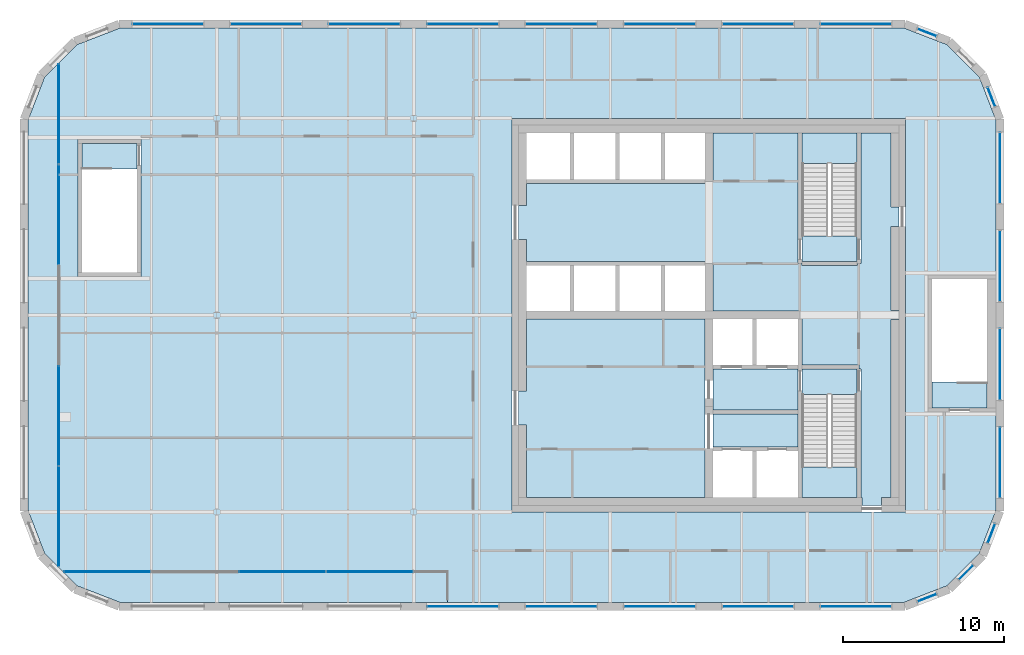
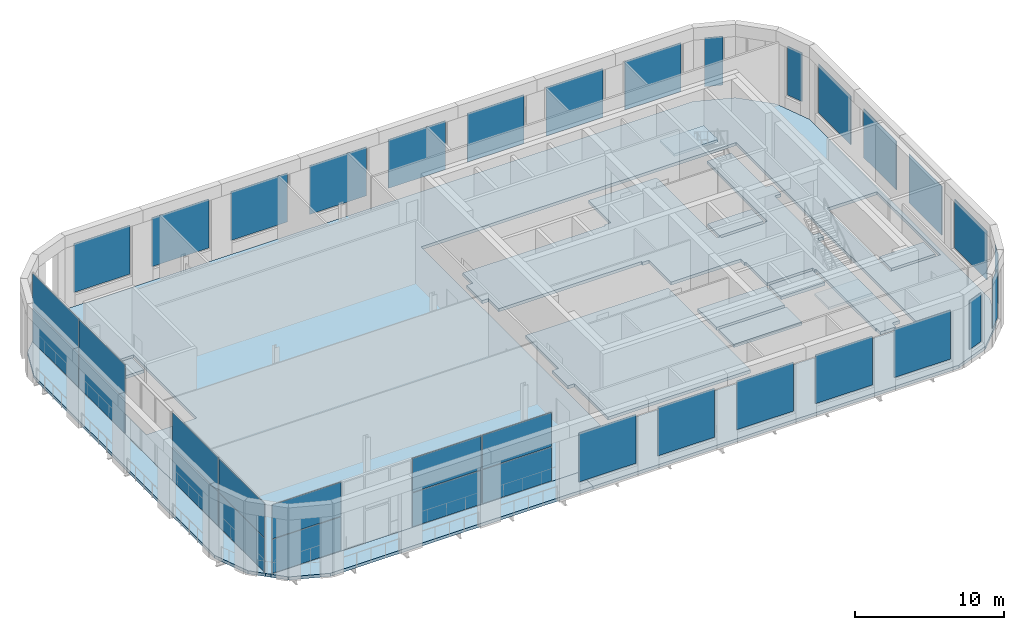
# One storey, part 10 of 19: 36 plates, 13 slabs, 31 elements without a shape of their own.
"""IFC4 building model written with IfcOpenShell, lengths in metres."""

from ifc_helpers import new_model, si_unit, direction, frame, origin, origin_2d, place, context, subcontext, project, spatial, polyline, rectangle, outline, extrude, material, layer, layer_set, type_object, element, aggregate, save


model = new_model("IFC4")

# Units and contexts
model_context = context("Model", 3, precision=1e-05, world=origin(), true_north=direction((0.0, 1.0)))
body_context = subcontext(model_context, "Body", "Model", "MODEL_VIEW")
ifc_project = project(units=[si_unit("LENGTHUNIT", "METRE"), si_unit("AREAUNIT", "SQUARE_METRE"), si_unit("VOLUMEUNIT", "CUBIC_METRE"), si_unit("PLANEANGLEUNIT", "RADIAN"), si_unit("MASSUNIT", "GRAM", prefix="KILO")], contexts=[model_context])

# Site, building, storey
site_placement = place(None, origin())
site = spatial("IfcSite", under=ifc_project, at=site_placement, CompositionType="ELEMENT")
building_placement = place(site_placement, origin())
building = spatial("IfcBuilding", under=site, at=building_placement, Name="Tessera Gate Towers", CompositionType="ELEMENT")
storey_placement = place(building_placement, frame((0.0, 0.0, 259.699951171875)))
storey = spatial("IfcBuildingStorey", under=building, at=storey_placement, Name="L65", CompositionType="ELEMENT", Elevation=259.699951171875)

# Slabs
ifc_material_1 = material(Name="Concrete C35/45", Category="concrete")
ifc_layer_1 = layer(ifc_material_1, 0.25)
ifc_layer_set_1 = layer_set([ifc_layer_1], Name="COMPOSITE FLOOR 250")
slab_type_1 = type_object("IfcSlabType", Name="COMPOSITE FLOOR 250", PredefinedType="FLOOR", material=ifc_layer_set_1)
slab_1_placement = place(storey_placement, frame((0.0, 0.0, -0.25)))
element("IfcSlab", 1, at=slab_1_placement, inside=storey, type_object=slab_type_1, Name="T1-L65", PredefinedType="FLOOR", context=body_context, shape_type="SweptSolid", body=[
    extrude(outline(polyline([(2.39990234375, 20.959228515625), (2.6591796875, 20.699951171875), (26.5, 20.699951171875), (26.5, 18.800048828125), (54.806884765625, 18.800048828125), (57.466796875, 19.826171875), (59.473876953125, 21.8330078125), (60.5, 24.4931640625), (60.5, 48.706787109375), (59.473876953125, 51.366943359375), (57.466796875, 53.373779296875), (54.806884765625, 54.39990234375), (6.193115234375, 54.39990234375), (3.533203125, 53.373779296875), (2.39990234375, 52.24072265625), (2.39990234375, 20.959228515625)]), holes=[polyline([(3.60009765625, 39.0), (3.60009765625, 47.5), (7.5, 47.5), (7.5, 39.0), (3.60009765625, 39.0)]), polyline([(30.5, 24.39990234375), (30.5, 48.800048828125), (54.89990234375, 48.800048828125), (54.89990234375, 24.39990234375), (30.5, 24.39990234375)]), polyline([(56.300048828125, 30.60009765625), (56.300048828125, 39.10009765625), (60.199951171875, 39.10009765625), (60.199951171875, 30.60009765625), (56.300048828125, 30.60009765625)])]), origin(), (0.0, 0.0, 1.0), 0.25),
])
slab_2_placement = place(storey_placement, frame((0.0, 0.0, -0.25)))
element("IfcSlab", 2, at=slab_2_placement, inside=storey, type_object=slab_type_1, Name="T1-DECK", PredefinedType="FLOOR", context=body_context, shape_type="SweptSolid", body=[
    extrude(outline(polyline([(0.5, 24.4931640625), (1.526123046875, 21.8330078125), (2.39990234375, 20.959228515625), (2.39990234375, 52.24072265625), (1.526123046875, 51.366943359375), (0.5, 48.706787109375), (0.5, 24.4931640625)])), origin(), (0.0, 0.0, 1.0), 0.25),
])
slab_3_placement = place(storey_placement, frame((0.0, 0.0, -0.25)))
element("IfcSlab", 3, at=slab_3_placement, inside=storey, type_object=slab_type_1, Name="T1-DECK-1", PredefinedType="FLOOR", context=body_context, shape_type="SweptSolid", body=[
    extrude(outline(polyline([(2.6591796875, 20.699951171875), (3.533203125, 19.826171875), (6.193115234375, 18.800048828125), (26.5, 18.800048828125), (26.5, 20.699951171875), (2.6591796875, 20.699951171875)])), origin(), (0.0, 0.0, 1.0), 0.25),
])
ifc_material_2 = material(Name="Concrete C35/45", Category="concrete")
ifc_layer_2 = layer(ifc_material_2, 0.25)
ifc_layer_set_2 = layer_set([ifc_layer_2], Name="CORE FLOOR SLAB 250")
slab_type_2 = type_object("IfcSlabType", Name="CORE FLOOR SLAB 250", PredefinedType="FLOOR", material=ifc_layer_set_2)
slab_4_placement = place(storey_placement, frame((0.0, 0.0, -0.25)))
element("IfcSlab", 4, at=slab_4_placement, inside=storey, type_object=slab_type_2, Name="L65 core floor slab", PredefinedType="FLOOR", context=body_context, shape_type="SweptSolid", body=[
    extrude(outline(polyline([(42.449951171875, 44.89990234375), (42.449951171875, 44.77490234375), (31.39990234375, 44.77490234375), (31.39990234375, 43.39990234375), (30.89990234375, 43.39990234375), (30.89990234375, 41.300048828125), (31.39990234375, 41.300048828125), (31.39990234375, 39.925048828125), (42.449951171875, 39.925048828125), (42.449951171875, 39.800048828125), (42.949951171875, 39.800048828125), (42.949951171875, 36.85009765625), (48.35009765625, 36.85009765625), (48.35009765625, 36.35009765625), (48.47509765625, 36.35009765625), (48.47509765625, 33.52490234375), (52.0, 33.52490234375), (52.0, 33.27490234375), (52.125, 33.27490234375), (52.125, 25.300048828125), (52.199951171875, 25.300048828125), (52.199951171875, 24.800048828125), (53.39990234375, 24.800048828125), (53.39990234375, 25.300048828125), (54.0, 25.300048828125), (54.0, 36.320068359375), (54.5, 36.320068359375), (54.5, 36.8798828125), (54.0, 36.8798828125), (54.0, 42.10009765625), (54.5, 42.10009765625), (54.5, 43.300048828125), (54.0, 43.300048828125), (54.0, 47.89990234375), (52.125, 47.89990234375), (52.125, 39.800048828125), (51.875, 39.800048828125), (51.875, 39.675048828125), (48.47509765625, 39.675048828125), (48.47509765625, 39.800048828125), (48.22509765625, 39.800048828125), (48.22509765625, 47.89990234375), (42.949951171875, 47.89990234375), (42.949951171875, 44.89990234375), (42.449951171875, 44.89990234375)])), origin(), (0.0, 0.0, 1.0), 0.25),
])
slab_5_placement = place(storey_placement, frame((0.0, 0.0, -0.25)))
element("IfcSlab", 5, at=slab_5_placement, inside=storey, type_object=slab_type_2, Name="L65 core floor slab", PredefinedType="FLOOR", context=body_context, shape_type="SweptSolid", body=[
    extrude(outline(polyline([(31.39990234375, 36.35009765625), (31.39990234375, 31.89990234375), (30.89990234375, 31.89990234375), (30.89990234375, 29.800048828125), (31.39990234375, 29.800048828125), (31.39990234375, 25.300048828125), (42.449951171875, 25.300048828125), (42.449951171875, 36.35009765625), (31.39990234375, 36.35009765625)])), origin(), (0.0, 0.0, 1.0), 0.25),
])
slab_6_placement = place(storey_placement, frame((0.0, 0.0, -0.25)))
element("IfcSlab", 6, at=slab_6_placement, inside=storey, type_object=slab_type_2, Name="L65 core floor slab", PredefinedType="FLOOR", context=body_context, shape_type="SweptSolid", body=[
    extrude(outline(polyline([(42.949951171875, 33.27490234375), (42.949951171875, 30.72509765625), (48.22509765625, 30.72509765625), (48.22509765625, 33.27490234375), (42.949951171875, 33.27490234375)])), origin(), (0.0, 0.0, 1.0), 0.25),
])
slab_7_placement = place(storey_placement, frame((0.0, 0.0, -0.25)))
element("IfcSlab", 7, at=slab_7_placement, inside=storey, type_object=slab_type_2, Name="L65 core floor slab", PredefinedType="FLOOR", context=body_context, shape_type="SweptSolid", body=[
    extrude(outline(polyline([(48.22509765625, 30.47509765625), (42.949951171875, 30.47509765625), (42.949951171875, 28.425048828125), (48.22509765625, 28.425048828125), (48.22509765625, 30.47509765625)])), origin(), (0.0, 0.0, 1.0), 0.25),
])
slab_8_placement = place(storey_placement, frame((0.0, 0.0, -0.25)))
element("IfcSlab", 8, at=slab_8_placement, inside=storey, type_object=slab_type_2, Name="L65 core floor slab", PredefinedType="FLOOR", context=body_context, shape_type="SweptSolid", body=[
    extrude(outline(polyline([(51.875, 31.675048828125), (51.875, 33.27490234375), (48.47509765625, 33.27490234375), (48.47509765625, 31.675048828125), (51.875, 31.675048828125)])), origin(), (0.0, 0.0, 1.0), 0.25),
])
slab_9_placement = place(storey_placement, frame((0.0, 0.0, -0.25)))
element("IfcSlab", 9, at=slab_9_placement, inside=storey, type_object=slab_type_2, Name="L65 core floor slab", PredefinedType="FLOOR", context=body_context, shape_type="SweptSolid", body=[
    extrude(outline(polyline([(48.47509765625, 41.52490234375), (48.47509765625, 39.925048828125), (51.875, 39.925048828125), (51.875, 41.52490234375), (48.47509765625, 41.52490234375)])), origin(), (0.0, 0.0, 1.0), 0.25),
])
slab_10_placement = place(storey_placement, frame((0.0, 0.0, -0.25)))
element("IfcSlab", 10, at=slab_10_placement, inside=storey, type_object=slab_type_2, Name="L65 ST3 floor landing", PredefinedType="FLOOR", context=body_context, shape_type="SweptSolid", body=[
    extrude(outline(polyline([(3.85009765625, 47.25), (3.85009765625, 45.64990234375), (7.25, 45.64990234375), (7.25, 47.25), (3.85009765625, 47.25)])), origin(), (0.0, 0.0, 1.0), 0.25),
])
slab_11_placement = place(storey_placement, frame((0.0, 0.0, -0.25)))
element("IfcSlab", 11, at=slab_11_placement, inside=storey, type_object=slab_type_2, Name="L65 ST5 floor landing", PredefinedType="FLOOR", context=body_context, shape_type="SweptSolid", body=[
    extrude(outline(polyline([(59.949951171875, 30.85009765625), (59.949951171875, 32.449951171875), (56.550048828125, 32.449951171875), (56.550048828125, 30.85009765625), (59.949951171875, 30.85009765625)])), origin(), (0.0, 0.0, 1.0), 0.25),
])

# Stair, slab
ifc_material_3 = material(Name="Concrete C40/50", Category="concrete")
stair_type_1 = type_object("IfcStairType", Name="EXIT STAIR ST1C 1600", PredefinedType="HALF_TURN_STAIR", material=ifc_material_3)
stair_1_placement = place(storey_placement, origin())
stair_1 = element("IfcStair", 12, at=stair_1_placement, inside=storey, type_object=stair_type_1, Name="L65 Protected Exit Stair ST1", PredefinedType="HALF_TURN_STAIR")
ifc_material_4 = material(Name="Concrete C40/50", Category="concrete")
ifc_layer_3 = layer(ifc_material_4, 0.199951171875)
ifc_layer_set_3 = layer_set([ifc_layer_3], Name="EXIT STAIR LANDING 200")
slab_type_3 = type_object("IfcSlabType", Name="EXIT STAIR LANDING 200", PredefinedType="LANDING", material=ifc_layer_set_3)
slab_12_placement = place(storey_placement, frame((0.0, 0.0, 2.800048828125)))
slab_12 = element("IfcSlab", 13, at=slab_12_placement, type_object=slab_type_3, Name="ST1 landing 1", PredefinedType="LANDING", context=body_context, shape_type="SweptSolid", body=[
    extrude(outline(polyline([(48.47509765625, 27.195068359375), (48.47509765625, 25.300048828125), (51.875, 25.300048828125), (51.875, 27.195068359375), (48.47509765625, 27.195068359375)])), origin(), (0.0, 0.0, 1.0), 0.199951171875),
])
aggregate(stair_1, [slab_12])

ifc_material_5 = material(Name="Concrete C40/50", Category="concrete")
stair_type_2 = type_object("IfcStairType", Name="EXIT STAIR ST2C 1600", PredefinedType="HALF_TURN_STAIR", material=ifc_material_5)
stair_2_placement = place(storey_placement, origin())
stair_2 = element("IfcStair", 14, at=stair_2_placement, inside=storey, type_object=stair_type_2, Name="L65 Protected Exit Stair ST2", PredefinedType="HALF_TURN_STAIR")
slab_13_placement = place(storey_placement, frame((0.0, 0.0, 2.800048828125)))
slab_13 = element("IfcSlab", 15, at=slab_13_placement, type_object=slab_type_3, Name="ST2 landing 1", PredefinedType="LANDING", context=body_context, shape_type="SweptSolid", body=[
    extrude(outline(polyline([(51.875, 46.0048828125), (51.875, 47.89990234375), (48.47509765625, 47.89990234375), (48.47509765625, 46.0048828125), (51.875, 46.0048828125)])), origin(), (0.0, 0.0, 1.0), 0.199951171875),
])
aggregate(stair_2, [slab_13])

# Curtain wall, plate
ifc_material_6 = material(Name="Aluminium frame", Category="aluminium")
curtain_wall_type = type_object("IfcCurtainWallType", Name="CW-S4 observation glass", PredefinedType="NOTDEFINED", material=ifc_material_6)
curtain_wall_1_placement = place(storey_placement, origin())
curtain_wall_1 = element("IfcCurtainWall", 16, at=curtain_wall_1_placement, inside=storey, type_object=curtain_wall_type, Name="Curtain wall observation glass 0089", PredefinedType="NOTDEFINED")
ifc_material_7 = material(Name="Low-e laminated glass", Category="glass")
ifc_layer_4 = layer(ifc_material_7, 0.0400390625)
ifc_layer_set_4 = layer_set([ifc_layer_4], Name="PN-S4 glass panel 40")
plate_type = type_object("IfcPlateType", Name="PN-S4 glass panel 40", PredefinedType="CURTAIN_PANEL", material=ifc_layer_set_4)
plate_1_placement = place(storey_placement, frame((27.449951171875, 18.550048828125, 0.949951171875), z_axis=(0.0, 0.0, 1.0), x_axis=(1.0, 0.0, 0.0)))
plate_1 = element("IfcPlate", 17, at=plate_1_placement, type_object=plate_type, Name="T1-CW4-0089 panel 1.1", PredefinedType="CURTAIN_PANEL", context=body_context, shape_type="SweptSolid", body=[
    extrude(rectangle(XDim=4.39990234375, YDim=0.0400390625, at=origin_2d()), origin(), (0.0, 0.0, 1.0), 4.0),
])
aggregate(curtain_wall_1, [plate_1])

curtain_wall_2_placement = place(storey_placement, origin())
curtain_wall_2 = element("IfcCurtainWall", 18, at=curtain_wall_2_placement, inside=storey, type_object=curtain_wall_type, Name="Curtain wall observation glass 0090", PredefinedType="NOTDEFINED")
plate_2_placement = place(storey_placement, frame((33.550048828125, 18.550048828125, 0.949951171875), z_axis=(0.0, 0.0, 1.0), x_axis=(1.0, 0.0, 0.0)))
plate_2 = element("IfcPlate", 19, at=plate_2_placement, type_object=plate_type, Name="T1-CW4-0090 panel 1.1", PredefinedType="CURTAIN_PANEL", context=body_context, shape_type="SweptSolid", body=[
    extrude(rectangle(XDim=4.39990234375, YDim=0.0400390625, at=origin_2d()), origin(), (0.0, 0.0, 1.0), 4.0),
])
aggregate(curtain_wall_2, [plate_2])

curtain_wall_3_placement = place(storey_placement, origin())
curtain_wall_3 = element("IfcCurtainWall", 20, at=curtain_wall_3_placement, inside=storey, type_object=curtain_wall_type, Name="Curtain wall observation glass 0091", PredefinedType="NOTDEFINED")
plate_3_placement = place(storey_placement, frame((39.64990234375, 18.550048828125, 0.949951171875), z_axis=(0.0, 0.0, 1.0), x_axis=(1.0, 0.0, 0.0)))
plate_3 = element("IfcPlate", 21, at=plate_3_placement, type_object=plate_type, Name="T1-CW4-0091 panel 1.1", PredefinedType="CURTAIN_PANEL", context=body_context, shape_type="SweptSolid", body=[
    extrude(rectangle(XDim=4.39990234375, YDim=0.0400390625, at=origin_2d()), origin(), (0.0, 0.0, 1.0), 4.0),
])
aggregate(curtain_wall_3, [plate_3])

curtain_wall_4_placement = place(storey_placement, origin())
curtain_wall_4 = element("IfcCurtainWall", 22, at=curtain_wall_4_placement, inside=storey, type_object=curtain_wall_type, Name="Curtain wall observation glass 0092", PredefinedType="NOTDEFINED")
plate_4_placement = place(storey_placement, frame((45.75, 18.550048828125, 0.949951171875), z_axis=(0.0, 0.0, 1.0), x_axis=(1.0, 0.0, 0.0)))
plate_4 = element("IfcPlate", 23, at=plate_4_placement, type_object=plate_type, Name="T1-CW4-0092 panel 1.1", PredefinedType="CURTAIN_PANEL", context=body_context, shape_type="SweptSolid", body=[
    extrude(rectangle(XDim=4.39990234375, YDim=0.0400390625, at=origin_2d()), origin(), (0.0, 0.0, 1.0), 4.0),
])
aggregate(curtain_wall_4, [plate_4])

curtain_wall_5_placement = place(storey_placement, origin())
curtain_wall_5 = element("IfcCurtainWall", 24, at=curtain_wall_5_placement, inside=storey, type_object=curtain_wall_type, Name="Curtain wall observation glass 0093", PredefinedType="NOTDEFINED")
plate_5_placement = place(storey_placement, frame((51.82666015625, 18.550048828125, 0.949951171875), z_axis=(0.0, 0.0, 1.0), x_axis=(1.0, 0.0, 0.0)))
plate_5 = element("IfcPlate", 25, at=plate_5_placement, type_object=plate_type, Name="T1-CW4-0093 panel 1.1", PredefinedType="CURTAIN_PANEL", context=body_context, shape_type="SweptSolid", body=[
    extrude(rectangle(XDim=4.353515625, YDim=0.0400390625, at=origin_2d()), origin(), (0.0, 0.0, 1.0), 4.0),
])
aggregate(curtain_wall_5, [plate_5])

curtain_wall_6_placement = place(storey_placement, origin())
curtain_wall_6 = element("IfcCurtainWall", 26, at=curtain_wall_6_placement, inside=storey, type_object=curtain_wall_type, Name="Curtain wall observation glass 0094", PredefinedType="NOTDEFINED")
plate_6_placement = place(storey_placement, frame((56.22998046875, 19.0810546875, 0.949951171875), z_axis=(0.0, 0.0, 1.0), x_axis=(0.932989314041, 0.359904070394, 0.0)))
plate_6 = element("IfcPlate", 27, at=plate_6_placement, type_object=plate_type, Name="T1-CW4-0094 panel 1.1", PredefinedType="CURTAIN_PANEL", context=body_context, shape_type="SweptSolid", body=[
    extrude(rectangle(XDim=1.25048828125, YDim=0.0400390625, at=origin_2d()), origin(), (0.0, 0.0, 1.0), 4.0),
])
aggregate(curtain_wall_6, [plate_6])

curtain_wall_7_placement = place(storey_placement, origin())
curtain_wall_7 = element("IfcCurtainWall", 28, at=curtain_wall_7_placement, inside=storey, type_object=curtain_wall_type, Name="Curtain wall observation glass 0095", PredefinedType="NOTDEFINED")
plate_7_placement = place(storey_placement, frame((58.647216796875, 20.65283203125, 0.949951171875), z_axis=(0.0, 0.0, 1.0), x_axis=(0.707106781187, 0.707106781187, 0.0)))
plate_7 = element("IfcPlate", 29, at=plate_7_placement, type_object=plate_type, Name="T1-CW4-0095 panel 1.1", PredefinedType="CURTAIN_PANEL", context=body_context, shape_type="SweptSolid", body=[
    extrude(rectangle(XDim=1.244140625, YDim=0.0400390625, at=origin_2d()), origin(), (0.0, 0.0, 1.0), 4.0),
])
aggregate(curtain_wall_7, [plate_7])

curtain_wall_8_placement = place(storey_placement, origin())
curtain_wall_8 = element("IfcCurtainWall", 30, at=curtain_wall_8_placement, inside=storey, type_object=curtain_wall_type, Name="Curtain wall observation glass 0096", PredefinedType="NOTDEFINED")
plate_8_placement = place(storey_placement, frame((60.218994140625, 23.070068359375, 0.949951171875), z_axis=(0.0, 0.0, 1.0), x_axis=(0.359904070394, 0.932989314041, 0.0)))
plate_8 = element("IfcPlate", 31, at=plate_8_placement, type_object=plate_type, Name="T1-CW4-0096 panel 1.1", PredefinedType="CURTAIN_PANEL", context=body_context, shape_type="SweptSolid", body=[
    extrude(rectangle(XDim=1.25048828125, YDim=0.0400390625, at=origin_2d()), origin(), (0.0, 0.0, 1.0), 4.0),
])
aggregate(curtain_wall_8, [plate_8])

curtain_wall_9_placement = place(storey_placement, origin())
curtain_wall_9 = element("IfcCurtainWall", 32, at=curtain_wall_9_placement, inside=storey, type_object=curtain_wall_type, Name="Curtain wall observation glass 0097", PredefinedType="NOTDEFINED")
plate_9_placement = place(storey_placement, frame((60.75, 27.473388671875, 0.949951171875), z_axis=(0.0, 0.0, 1.0), x_axis=(0.0, 1.0, 0.0)))
plate_9 = element("IfcPlate", 33, at=plate_9_placement, type_object=plate_type, Name="T1-CW4-0097 panel 1.1", PredefinedType="CURTAIN_PANEL", context=body_context, shape_type="SweptSolid", body=[
    extrude(rectangle(XDim=4.353515625, YDim=0.0400390625, at=origin_2d()), origin(), (0.0, 0.0, 1.0), 4.0),
])
aggregate(curtain_wall_9, [plate_9])

curtain_wall_10_placement = place(storey_placement, origin())
curtain_wall_10 = element("IfcCurtainWall", 34, at=curtain_wall_10_placement, inside=storey, type_object=curtain_wall_type, Name="Curtain wall observation glass 0098", PredefinedType="NOTDEFINED")
plate_10_placement = place(storey_placement, frame((60.75, 33.550048828125, 0.949951171875), z_axis=(0.0, 0.0, 1.0), x_axis=(0.0, 1.0, 0.0)))
plate_10 = element("IfcPlate", 35, at=plate_10_placement, type_object=plate_type, Name="T1-CW4-0098 panel 1.1", PredefinedType="CURTAIN_PANEL", context=body_context, shape_type="SweptSolid", body=[
    extrude(rectangle(XDim=4.39990234375, YDim=0.0400390625, at=origin_2d()), origin(), (0.0, 0.0, 1.0), 4.0),
])
aggregate(curtain_wall_10, [plate_10])

curtain_wall_11_placement = place(storey_placement, origin())
curtain_wall_11 = element("IfcCurtainWall", 36, at=curtain_wall_11_placement, inside=storey, type_object=curtain_wall_type, Name="Curtain wall observation glass 0099", PredefinedType="NOTDEFINED")
plate_11_placement = place(storey_placement, frame((60.75, 39.64990234375, 0.949951171875), z_axis=(0.0, 0.0, 1.0), x_axis=(0.0, 1.0, 0.0)))
plate_11 = element("IfcPlate", 37, at=plate_11_placement, type_object=plate_type, Name="T1-CW4-0099 panel 1.1", PredefinedType="CURTAIN_PANEL", context=body_context, shape_type="SweptSolid", body=[
    extrude(rectangle(XDim=4.39990234375, YDim=0.0400390625, at=origin_2d()), origin(), (0.0, 0.0, 1.0), 4.0),
])
aggregate(curtain_wall_11, [plate_11])

curtain_wall_12_placement = place(storey_placement, origin())
curtain_wall_12 = element("IfcCurtainWall", 38, at=curtain_wall_12_placement, inside=storey, type_object=curtain_wall_type, Name="Curtain wall observation glass 0100", PredefinedType="NOTDEFINED")
plate_12_placement = place(storey_placement, frame((60.75, 45.726806640625, 0.949951171875), z_axis=(0.0, 0.0, 1.0), x_axis=(0.0, 1.0, 0.0)))
plate_12 = element("IfcPlate", 39, at=plate_12_placement, type_object=plate_type, Name="T1-CW4-0100 panel 1.1", PredefinedType="CURTAIN_PANEL", context=body_context, shape_type="SweptSolid", body=[
    extrude(rectangle(XDim=4.353515625, YDim=0.0400390625, at=origin_2d()), origin(), (0.0, 0.0, 1.0), 4.0),
])
aggregate(curtain_wall_12, [plate_12])

curtain_wall_13_placement = place(storey_placement, origin())
curtain_wall_13 = element("IfcCurtainWall", 40, at=curtain_wall_13_placement, inside=storey, type_object=curtain_wall_type, Name="Curtain wall observation glass 0101", PredefinedType="NOTDEFINED")
plate_13_placement = place(storey_placement, frame((60.218994140625, 50.1298828125, 0.949951171875), z_axis=(0.0, 0.0, 1.0), x_axis=(-0.359904070394, 0.932989314041, 0.0)))
plate_13 = element("IfcPlate", 41, at=plate_13_placement, type_object=plate_type, Name="T1-CW4-0101 panel 1.1", PredefinedType="CURTAIN_PANEL", context=body_context, shape_type="SweptSolid", body=[
    extrude(rectangle(XDim=1.25048828125, YDim=0.0400390625, at=origin_2d()), origin(), (0.0, 0.0, 1.0), 4.0),
])
aggregate(curtain_wall_13, [plate_13])

curtain_wall_14_placement = place(storey_placement, origin())
curtain_wall_14 = element("IfcCurtainWall", 42, at=curtain_wall_14_placement, inside=storey, type_object=curtain_wall_type, Name="Curtain wall observation glass 0103", PredefinedType="NOTDEFINED")
plate_14_placement = place(storey_placement, frame((56.22998046875, 54.119140625, 0.949951171875), z_axis=(0.0, 0.0, 1.0), x_axis=(-0.932989314041, 0.359904070394, 0.0)))
plate_14 = element("IfcPlate", 43, at=plate_14_placement, type_object=plate_type, Name="T1-CW4-0103 panel 1.1", PredefinedType="CURTAIN_PANEL", context=body_context, shape_type="SweptSolid", body=[
    extrude(rectangle(XDim=1.25048828125, YDim=0.0400390625, at=origin_2d()), origin(), (0.0, 0.0, 1.0), 4.0),
])
aggregate(curtain_wall_14, [plate_14])

curtain_wall_15_placement = place(storey_placement, origin())
curtain_wall_15 = element("IfcCurtainWall", 44, at=curtain_wall_15_placement, inside=storey, type_object=curtain_wall_type, Name="Curtain wall observation glass 0104", PredefinedType="NOTDEFINED")
plate_15_placement = place(storey_placement, frame((51.82666015625, 54.64990234375, 0.949951171875), z_axis=(0.0, 0.0, 1.0), x_axis=(-1.0, 0.0, 0.0)))
plate_15 = element("IfcPlate", 45, at=plate_15_placement, type_object=plate_type, Name="T1-CW4-0104 panel 1.1", PredefinedType="CURTAIN_PANEL", context=body_context, shape_type="SweptSolid", body=[
    extrude(rectangle(XDim=4.353515625, YDim=0.0400390625, at=origin_2d()), origin(), (0.0, 0.0, 1.0), 4.0),
])
aggregate(curtain_wall_15, [plate_15])

curtain_wall_16_placement = place(storey_placement, origin())
curtain_wall_16 = element("IfcCurtainWall", 46, at=curtain_wall_16_placement, inside=storey, type_object=curtain_wall_type, Name="Curtain wall observation glass 0105", PredefinedType="NOTDEFINED")
plate_16_placement = place(storey_placement, frame((45.75, 54.64990234375, 0.949951171875), z_axis=(0.0, 0.0, 1.0), x_axis=(-1.0, 0.0, 0.0)))
plate_16 = element("IfcPlate", 47, at=plate_16_placement, type_object=plate_type, Name="T1-CW4-0105 panel 1.1", PredefinedType="CURTAIN_PANEL", context=body_context, shape_type="SweptSolid", body=[
    extrude(rectangle(XDim=4.39990234375, YDim=0.0400390625, at=origin_2d()), origin(), (0.0, 0.0, 1.0), 4.0),
])
aggregate(curtain_wall_16, [plate_16])

curtain_wall_17_placement = place(storey_placement, origin())
curtain_wall_17 = element("IfcCurtainWall", 48, at=curtain_wall_17_placement, inside=storey, type_object=curtain_wall_type, Name="Curtain wall observation glass 0106", PredefinedType="NOTDEFINED")
plate_17_placement = place(storey_placement, frame((39.64990234375, 54.64990234375, 0.949951171875), z_axis=(0.0, 0.0, 1.0), x_axis=(-1.0, 0.0, 0.0)))
plate_17 = element("IfcPlate", 49, at=plate_17_placement, type_object=plate_type, Name="T1-CW4-0106 panel 1.1", PredefinedType="CURTAIN_PANEL", context=body_context, shape_type="SweptSolid", body=[
    extrude(rectangle(XDim=4.39990234375, YDim=0.0400390625, at=origin_2d()), origin(), (0.0, 0.0, 1.0), 4.0),
])
aggregate(curtain_wall_17, [plate_17])

curtain_wall_18_placement = place(storey_placement, origin())
curtain_wall_18 = element("IfcCurtainWall", 50, at=curtain_wall_18_placement, inside=storey, type_object=curtain_wall_type, Name="Curtain wall observation glass 0107", PredefinedType="NOTDEFINED")
plate_18_placement = place(storey_placement, frame((33.550048828125, 54.64990234375, 0.949951171875), z_axis=(0.0, 0.0, 1.0), x_axis=(-1.0, 0.0, 0.0)))
plate_18 = element("IfcPlate", 51, at=plate_18_placement, type_object=plate_type, Name="T1-CW4-0107 panel 1.1", PredefinedType="CURTAIN_PANEL", context=body_context, shape_type="SweptSolid", body=[
    extrude(rectangle(XDim=4.39990234375, YDim=0.0400390625, at=origin_2d()), origin(), (0.0, 0.0, 1.0), 4.0),
])
aggregate(curtain_wall_18, [plate_18])

curtain_wall_19_placement = place(storey_placement, origin())
curtain_wall_19 = element("IfcCurtainWall", 52, at=curtain_wall_19_placement, inside=storey, type_object=curtain_wall_type, Name="Curtain wall observation glass 0108", PredefinedType="NOTDEFINED")
plate_19_placement = place(storey_placement, frame((27.449951171875, 54.64990234375, 0.949951171875), z_axis=(0.0, 0.0, 1.0), x_axis=(-1.0, 0.0, 0.0)))
plate_19 = element("IfcPlate", 53, at=plate_19_placement, type_object=plate_type, Name="T1-CW4-0108 panel 1.1", PredefinedType="CURTAIN_PANEL", context=body_context, shape_type="SweptSolid", body=[
    extrude(rectangle(XDim=4.39990234375, YDim=0.0400390625, at=origin_2d()), origin(), (0.0, 0.0, 1.0), 4.0),
])
aggregate(curtain_wall_19, [plate_19])

curtain_wall_20_placement = place(storey_placement, origin())
curtain_wall_20 = element("IfcCurtainWall", 54, at=curtain_wall_20_placement, inside=storey, type_object=curtain_wall_type, Name="Curtain wall observation glass 0109", PredefinedType="NOTDEFINED")
plate_20_placement = place(storey_placement, frame((21.35009765625, 54.64990234375, 0.949951171875), z_axis=(0.0, 0.0, 1.0), x_axis=(-1.0, 0.0, 0.0)))
plate_20 = element("IfcPlate", 55, at=plate_20_placement, type_object=plate_type, Name="T1-CW4-0109 panel 1.1", PredefinedType="CURTAIN_PANEL", context=body_context, shape_type="SweptSolid", body=[
    extrude(rectangle(XDim=4.39990234375, YDim=0.0400390625, at=origin_2d()), origin(), (0.0, 0.0, 1.0), 4.0),
])
aggregate(curtain_wall_20, [plate_20])

curtain_wall_21_placement = place(storey_placement, origin())
curtain_wall_21 = element("IfcCurtainWall", 56, at=curtain_wall_21_placement, inside=storey, type_object=curtain_wall_type, Name="Curtain wall observation glass 0110", PredefinedType="NOTDEFINED")
plate_21_placement = place(storey_placement, frame((15.25, 54.64990234375, 0.949951171875), z_axis=(0.0, 0.0, 1.0), x_axis=(-1.0, 0.0, 0.0)))
plate_21 = element("IfcPlate", 57, at=plate_21_placement, type_object=plate_type, Name="T1-CW4-0110 panel 1.1", PredefinedType="CURTAIN_PANEL", context=body_context, shape_type="SweptSolid", body=[
    extrude(rectangle(XDim=4.39990234375, YDim=0.0400390625, at=origin_2d()), origin(), (0.0, 0.0, 1.0), 4.0),
])
aggregate(curtain_wall_21, [plate_21])

curtain_wall_22_placement = place(storey_placement, origin())
curtain_wall_22 = element("IfcCurtainWall", 58, at=curtain_wall_22_placement, inside=storey, type_object=curtain_wall_type, Name="Curtain wall observation glass 0111", PredefinedType="NOTDEFINED")
plate_22_placement = place(storey_placement, frame((9.17333984375, 54.64990234375, 0.949951171875), z_axis=(0.0, 0.0, 1.0), x_axis=(-1.0, 0.0, 0.0)))
plate_22 = element("IfcPlate", 59, at=plate_22_placement, type_object=plate_type, Name="T1-CW4-0111 panel 1.1", PredefinedType="CURTAIN_PANEL", context=body_context, shape_type="SweptSolid", body=[
    extrude(rectangle(XDim=4.353515625, YDim=0.0400390625, at=origin_2d()), origin(), (0.0, 0.0, 1.0), 4.0),
])
aggregate(curtain_wall_22, [plate_22])

# Curtain wall, plates
curtain_wall_23_placement = place(storey_placement, origin())
curtain_wall_23 = element("IfcCurtainWall", 60, at=curtain_wall_23_placement, inside=storey, type_object=curtain_wall_type, Name="Curtain wall observation glass 0112", PredefinedType="NOTDEFINED")
plate_23_placement = place(storey_placement, frame((2.39990234375, 24.1201171875, 0.050048828125), z_axis=(0.0, 0.0, 1.0), x_axis=(0.0, 1.0, 0.0)))
plate_23 = element("IfcPlate", 61, at=plate_23_placement, type_object=plate_type, Name="T1-CW4-0112 panel 1.1", PredefinedType="CURTAIN_PANEL", context=body_context, shape_type="SweptSolid", body=[
    extrude(rectangle(XDim=6.139892578125, YDim=0.0400390625, at=origin_2d()), origin(), (0.0, 0.0, 1.0), 2.77490234375),
])
plate_24_placement = place(storey_placement, frame((2.39990234375, 24.1201171875, 2.875), z_axis=(0.0, 0.0, 1.0), x_axis=(0.0, 1.0, 0.0)))
plate_24 = element("IfcPlate", 62, at=plate_24_placement, type_object=plate_type, Name="T1-CW4-0112 panel 1.2", PredefinedType="CURTAIN_PANEL", context=body_context, shape_type="SweptSolid", body=[
    extrude(rectangle(XDim=6.139892578125, YDim=0.0400390625, at=origin_2d()), origin(), (0.0, 0.0, 1.0), 2.77490234375),
])
aggregate(curtain_wall_23, [plate_23, plate_24])

curtain_wall_24_placement = place(storey_placement, origin())
curtain_wall_24 = element("IfcCurtainWall", 63, at=curtain_wall_24_placement, inside=storey, type_object=curtain_wall_type, Name="Curtain wall observation glass 0113", PredefinedType="NOTDEFINED")
plate_25_placement = place(storey_placement, frame((2.39990234375, 30.360107421875, 0.050048828125), z_axis=(0.0, 0.0, 1.0), x_axis=(0.0, 1.0, 0.0)))
plate_25 = element("IfcPlate", 64, at=plate_25_placement, type_object=plate_type, Name="T1-CW4-0113 panel 1.1", PredefinedType="CURTAIN_PANEL", context=body_context, shape_type="SweptSolid", body=[
    extrude(rectangle(XDim=6.139892578125, YDim=0.0400390625, at=origin_2d()), origin(), (0.0, 0.0, 1.0), 2.77490234375),
])
plate_26_placement = place(storey_placement, frame((2.39990234375, 30.360107421875, 2.875), z_axis=(0.0, 0.0, 1.0), x_axis=(0.0, 1.0, 0.0)))
plate_26 = element("IfcPlate", 65, at=plate_26_placement, type_object=plate_type, Name="T1-CW4-0113 panel 1.2", PredefinedType="CURTAIN_PANEL", context=body_context, shape_type="SweptSolid", body=[
    extrude(rectangle(XDim=6.139892578125, YDim=0.0400390625, at=origin_2d()), origin(), (0.0, 0.0, 1.0), 2.77490234375),
])
aggregate(curtain_wall_24, [plate_25, plate_26])

curtain_wall_25_placement = place(storey_placement, origin())
curtain_wall_25 = element("IfcCurtainWall", 66, at=curtain_wall_25_placement, inside=storey, type_object=curtain_wall_type, Name="Curtain wall observation glass 0114", PredefinedType="NOTDEFINED")
plate_27_placement = place(storey_placement, frame((2.39990234375, 42.840087890625, 0.050048828125), z_axis=(0.0, 0.0, 1.0), x_axis=(0.0, 1.0, 0.0)))
plate_27 = element("IfcPlate", 67, at=plate_27_placement, type_object=plate_type, Name="T1-CW4-0114 panel 1.1", PredefinedType="CURTAIN_PANEL", context=body_context, shape_type="SweptSolid", body=[
    extrude(rectangle(XDim=6.139892578125, YDim=0.0400390625, at=origin_2d()), origin(), (0.0, 0.0, 1.0), 2.77490234375),
])
plate_28_placement = place(storey_placement, frame((2.39990234375, 42.840087890625, 2.875), z_axis=(0.0, 0.0, 1.0), x_axis=(0.0, 1.0, 0.0)))
plate_28 = element("IfcPlate", 68, at=plate_28_placement, type_object=plate_type, Name="T1-CW4-0114 panel 1.2", PredefinedType="CURTAIN_PANEL", context=body_context, shape_type="SweptSolid", body=[
    extrude(rectangle(XDim=6.139892578125, YDim=0.0400390625, at=origin_2d()), origin(), (0.0, 0.0, 1.0), 2.77490234375),
])
aggregate(curtain_wall_25, [plate_27, plate_28])

curtain_wall_26_placement = place(storey_placement, origin())
curtain_wall_26 = element("IfcCurtainWall", 69, at=curtain_wall_26_placement, inside=storey, type_object=curtain_wall_type, Name="Curtain wall observation glass 0115", PredefinedType="NOTDEFINED")
plate_29_placement = place(storey_placement, frame((2.39990234375, 49.080078125, 0.050048828125), z_axis=(0.0, 0.0, 1.0), x_axis=(0.0, 1.0, 0.0)))
plate_29 = element("IfcPlate", 70, at=plate_29_placement, type_object=plate_type, Name="T1-CW4-0115 panel 1.1", PredefinedType="CURTAIN_PANEL", context=body_context, shape_type="SweptSolid", body=[
    extrude(rectangle(XDim=6.139892578125, YDim=0.0400390625, at=origin_2d()), origin(), (0.0, 0.0, 1.0), 2.77490234375),
])
plate_30_placement = place(storey_placement, frame((2.39990234375, 49.080078125, 2.875), z_axis=(0.0, 0.0, 1.0), x_axis=(0.0, 1.0, 0.0)))
plate_30 = element("IfcPlate", 71, at=plate_30_placement, type_object=plate_type, Name="T1-CW4-0115 panel 1.2", PredefinedType="CURTAIN_PANEL", context=body_context, shape_type="SweptSolid", body=[
    extrude(rectangle(XDim=6.139892578125, YDim=0.0400390625, at=origin_2d()), origin(), (0.0, 0.0, 1.0), 2.77490234375),
])
aggregate(curtain_wall_26, [plate_29, plate_30])

curtain_wall_27_placement = place(storey_placement, origin())
curtain_wall_27 = element("IfcCurtainWall", 72, at=curtain_wall_27_placement, inside=storey, type_object=curtain_wall_type, Name="Curtain wall observation glass 0116", PredefinedType="NOTDEFINED")
plate_31_placement = place(storey_placement, frame((5.41259765625, 20.699951171875, 0.050048828125), z_axis=(0.0, 0.0, 1.0), x_axis=(1.0, 0.0, 0.0)))
plate_31 = element("IfcPlate", 73, at=plate_31_placement, type_object=plate_type, Name="T1-CW4-0116 panel 1.1", PredefinedType="CURTAIN_PANEL", context=body_context, shape_type="SweptSolid", body=[
    extrude(rectangle(XDim=5.324951171875, YDim=0.0400390625, at=origin_2d()), origin(), (0.0, 0.0, 1.0), 2.77490234375),
])
plate_32_placement = place(storey_placement, frame((5.41259765625, 20.699951171875, 2.875), z_axis=(0.0, 0.0, 1.0), x_axis=(1.0, 0.0, 0.0)))
plate_32 = element("IfcPlate", 74, at=plate_32_placement, type_object=plate_type, Name="T1-CW4-0116 panel 1.2", PredefinedType="CURTAIN_PANEL", context=body_context, shape_type="SweptSolid", body=[
    extrude(rectangle(XDim=5.324951171875, YDim=0.0400390625, at=origin_2d()), origin(), (0.0, 0.0, 1.0), 2.77490234375),
])
aggregate(curtain_wall_27, [plate_31, plate_32])

curtain_wall_28_placement = place(storey_placement, origin())
curtain_wall_28 = element("IfcCurtainWall", 75, at=curtain_wall_28_placement, inside=storey, type_object=curtain_wall_type, Name="Curtain wall observation glass 0117", PredefinedType="NOTDEFINED")
plate_33_placement = place(storey_placement, frame((16.262451171875, 20.699951171875, 0.050048828125), z_axis=(0.0, 0.0, 1.0), x_axis=(1.0, 0.0, 0.0)))
plate_33 = element("IfcPlate", 76, at=plate_33_placement, type_object=plate_type, Name="T1-CW4-0117 panel 1.1", PredefinedType="CURTAIN_PANEL", context=body_context, shape_type="SweptSolid", body=[
    extrude(rectangle(XDim=5.324951171875, YDim=0.0400390625, at=origin_2d()), origin(), (0.0, 0.0, 1.0), 2.77490234375),
])
plate_34_placement = place(storey_placement, frame((16.262451171875, 20.699951171875, 2.875), z_axis=(0.0, 0.0, 1.0), x_axis=(1.0, 0.0, 0.0)))
plate_34 = element("IfcPlate", 77, at=plate_34_placement, type_object=plate_type, Name="T1-CW4-0117 panel 1.2", PredefinedType="CURTAIN_PANEL", context=body_context, shape_type="SweptSolid", body=[
    extrude(rectangle(XDim=5.324951171875, YDim=0.0400390625, at=origin_2d()), origin(), (0.0, 0.0, 1.0), 2.77490234375),
])
aggregate(curtain_wall_28, [plate_33, plate_34])

curtain_wall_29_placement = place(storey_placement, origin())
curtain_wall_29 = element("IfcCurtainWall", 78, at=curtain_wall_29_placement, inside=storey, type_object=curtain_wall_type, Name="Curtain wall observation glass 0118", PredefinedType="NOTDEFINED")
plate_35_placement = place(storey_placement, frame((21.6875, 20.699951171875, 0.050048828125), z_axis=(0.0, 0.0, 1.0), x_axis=(1.0, 0.0, 0.0)))
plate_35 = element("IfcPlate", 79, at=plate_35_placement, type_object=plate_type, Name="T1-CW4-0118 panel 1.1", PredefinedType="CURTAIN_PANEL", context=body_context, shape_type="SweptSolid", body=[
    extrude(rectangle(XDim=5.324951171875, YDim=0.0400390625, at=origin_2d()), origin(), (0.0, 0.0, 1.0), 2.77490234375),
])
plate_36_placement = place(storey_placement, frame((21.6875, 20.699951171875, 2.875), z_axis=(0.0, 0.0, 1.0), x_axis=(1.0, 0.0, 0.0)))
plate_36 = element("IfcPlate", 80, at=plate_36_placement, type_object=plate_type, Name="T1-CW4-0118 panel 1.2", PredefinedType="CURTAIN_PANEL", context=body_context, shape_type="SweptSolid", body=[
    extrude(rectangle(XDim=5.324951171875, YDim=0.0400390625, at=origin_2d()), origin(), (0.0, 0.0, 1.0), 2.77490234375),
])
aggregate(curtain_wall_29, [plate_35, plate_36])

save(model, "model.ifc")
